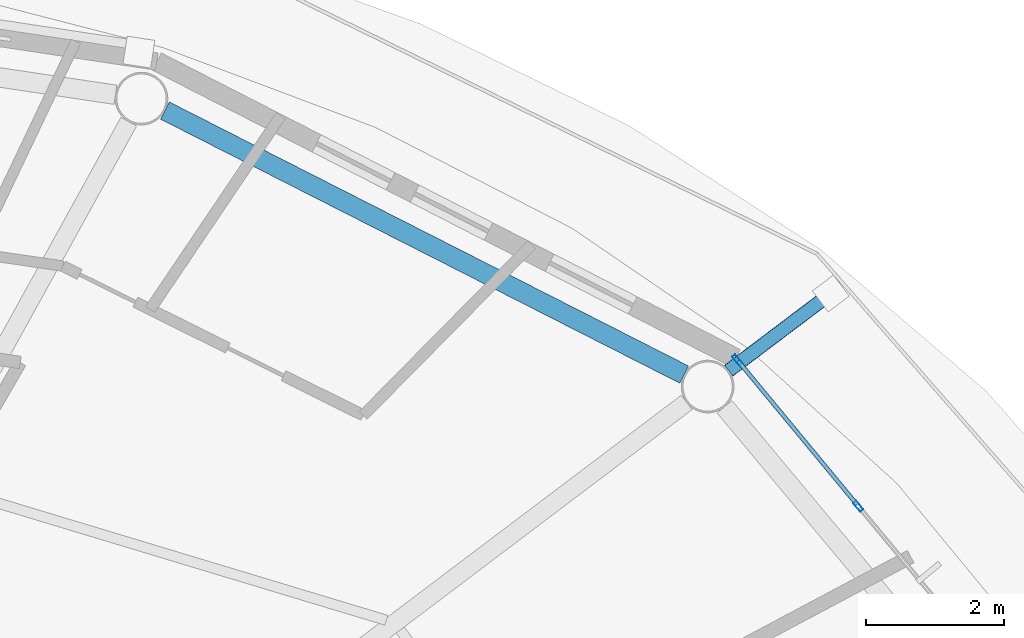
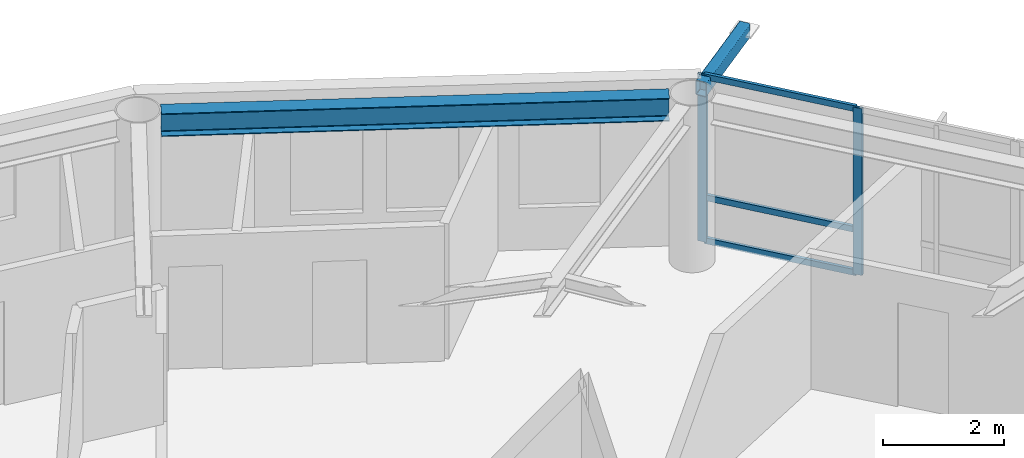
# One storey, part 11 of 22: 6 members, 1 beam, 1 element without a shape of its own.
"""IFC4 building model written with IfcOpenShell, lengths in metres."""

from ifc_helpers import new_model, si_unit, direction, frame, origin, origin_2d, place, context, subcontext, project, spatial, hollow_rectangle, i_section, extrude, material, layer, layer_set, material_profile, profile_set, type_object, element, aggregate, save


model = new_model("IFC4")

# Units and contexts
model_context = context("Model", 3, precision=1e-05, world=origin(), true_north=direction((0.0, 1.0)))
body_context = subcontext(model_context, "Body", "Model", "MODEL_VIEW")
ifc_project = project(units=[si_unit("LENGTHUNIT", "METRE"), si_unit("AREAUNIT", "SQUARE_METRE"), si_unit("VOLUMEUNIT", "CUBIC_METRE"), si_unit("PLANEANGLEUNIT", "RADIAN"), si_unit("MASSUNIT", "GRAM", prefix="KILO")], contexts=[model_context])

# Site, building, storey
site_placement = place(None, origin())
site = spatial("IfcSite", under=ifc_project, at=site_placement, CompositionType="ELEMENT")
building_placement = place(site_placement, origin())
building = spatial("IfcBuilding", under=site, at=building_placement, Name="Sarneth Arch Tower", CompositionType="ELEMENT")
storey_placement = place(building_placement, frame((0.0, 0.0, 287.39990234375)))
storey = spatial("IfcBuildingStorey", under=building, at=storey_placement, Name="L74", CompositionType="ELEMENT", Elevation=287.39990234375)

# Beam
ifc_material_1 = material(Name="Steel S355", Category="steel")
ifc_material_profile_1 = material_profile(ifc_material_1, i_section(OverallWidth=0.280029296875, OverallDepth=0.462890625, WebThickness=0.0107421875, FlangeThickness=0.017333984375, FilletRadius=0.01806640625, at=origin_2d()), Name="W460x113")
ifc_profile_set_1 = profile_set([ifc_material_profile_1], Name="Steel S355")
beam_type = type_object("IfcBeamType", Name="BM-RAD-460A", PredefinedType="BEAM", material=ifc_profile_set_1)
beam_placement = place(storey_placement, frame((65.635498046875, 55.749267578125, 3.138671875), z_axis=(-0.891373613492, 0.453269325204, 0.0), x_axis=(-0.453269325204, -0.891373613492, 0.0)))
element("IfcBeam", 1, at=beam_placement, inside=storey, type_object=beam_type, Name="L74 Perimeter spandrel beam 03", PredefinedType="BEAM", context=body_context, shape_type="SweptSolid", body=[
    extrude(i_section(OverallWidth=0.280029296875, OverallDepth=0.462890625, WebThickness=0.0107421875, FlangeThickness=0.017333984375, FilletRadius=0.01806640625, at=origin_2d()), origin(), (0.0, 0.0, 1.0), 8.419677734375),
])

# Curtain wall, members
ifc_material_2 = material(Name="Anodised aluminium Type AA25 and solar-control low-e laminated IGU", Category="aluminium")
ifc_layer = layer(ifc_material_2, 0.179931640625)
ifc_layer_set = layer_set([ifc_layer], Name="Anodised aluminium Type AA25 and solar-control low-e laminated IGU")
curtain_wall_type = type_object("IfcCurtainWallType", Name="CW-RES-HIGH", PredefinedType="NOTDEFINED", material=ifc_layer_set)
curtain_wall_placement = place(storey_placement, origin())
curtain_wall = element("IfcCurtainWall", 2, at=curtain_wall_placement, inside=storey, type_object=curtain_wall_type, Name="L74 Unitised curtain wall facet 02", PredefinedType="NOTDEFINED")
ifc_material_3 = material(Name="Anodised Aluminium 6063-T6", Category="aluminium")
ifc_material_profile_2 = material_profile(ifc_material_3, hollow_rectangle(XDim=0.06005859375, YDim=0.159912109375, WallThickness=0.00390625, at=origin_2d()), Name="AL-MULL-160x60x4")
ifc_profile_set_2 = profile_set([ifc_material_profile_2], Name="Anodised Aluminium 6063-T6")
member_type_1 = type_object("IfcMemberType", Name="CW-MULLION", PredefinedType="MULLION", material=ifc_profile_set_2)
member_1_placement = place(storey_placement, frame((68.15283203125, 53.84765625, 0.0), z_axis=(0.0, 0.0, 1.0), x_axis=(-0.770359245933, -0.637610094184, 0.0)))
member_1 = element("IfcMember", 3, at=member_1_placement, type_object=member_type_1, Name="CW-SYS-6 mullion 3", PredefinedType="MULLION", context=body_context, shape_type="SweptSolid", body=[
    extrude(hollow_rectangle(XDim=0.06005859375, YDim=0.159912109375, WallThickness=0.00390625, at=origin_2d()), origin(), (0.0, 0.0, 1.0), 3.3701171875),
])
member_2_placement = place(storey_placement, frame((66.401611328125, 55.96337890625, 0.0), z_axis=(0.0, 0.0, 1.0), x_axis=(-0.770359245933, -0.637610094184, 0.0)))
member_2 = element("IfcMember", 4, at=member_2_placement, type_object=member_type_1, Name="CW-SYS-6 mullion 4", PredefinedType="MULLION", context=body_context, shape_type="SweptSolid", body=[
    extrude(hollow_rectangle(XDim=0.06005859375, YDim=0.159912109375, WallThickness=0.00390625, at=origin_2d()), origin(), (0.0, 0.0, 1.0), 3.3701171875),
])
ifc_material_4 = material(Name="Anodised Aluminium 6063-T6", Category="aluminium")
ifc_material_profile_3 = material_profile(ifc_material_4, hollow_rectangle(XDim=0.06005859375, YDim=0.1201171875, WallThickness=0.00390625, at=origin_2d()), Name="AL-TRAN-120x60x4")
ifc_profile_set_3 = profile_set([ifc_material_profile_3], Name="Anodised Aluminium 6063-T6")
member_type_2 = type_object("IfcMemberType", Name="CW-TRANSOM", PredefinedType="USERDEFINED", material=ifc_profile_set_3)
member_3_placement = place(storey_placement, frame((68.1337890625, 53.87060546875, 0.030029296875), z_axis=(-0.637606765719, 0.770362000821, 0.0), x_axis=(-0.770362000821, -0.637606765719, 0.0)))
member_3 = element("IfcMember", 5, at=member_3_placement, type_object=member_type_2, Name="CW-SYS-6 transom 3.1", ObjectType="TRANSOM", PredefinedType="USERDEFINED", context=body_context, shape_type="SweptSolid", body=[
    extrude(hollow_rectangle(XDim=0.06005859375, YDim=0.1201171875, WallThickness=0.00390625, at=origin_2d()), origin(), (0.0, 0.0, 1.0), 2.686767578125),
])
member_4_placement = place(storey_placement, frame((68.1337890625, 53.87060546875, 0.900146484375), z_axis=(-0.637606765719, 0.770362000821, 0.0), x_axis=(-0.770362000821, -0.637606765719, 0.0)))
member_4 = element("IfcMember", 6, at=member_4_placement, type_object=member_type_2, Name="CW-SYS-6 transom 3.2", ObjectType="TRANSOM", PredefinedType="USERDEFINED", context=body_context, shape_type="SweptSolid", body=[
    extrude(hollow_rectangle(XDim=0.06005859375, YDim=0.1201171875, WallThickness=0.00390625, at=origin_2d()), origin(), (0.0, 0.0, 1.0), 2.686767578125),
])
member_5_placement = place(storey_placement, frame((68.1337890625, 53.87060546875, 3.340087890625), z_axis=(-0.637606765719, 0.770362000821, 0.0), x_axis=(-0.770362000821, -0.637606765719, 0.0)))
member_5 = element("IfcMember", 7, at=member_5_placement, type_object=member_type_2, Name="CW-SYS-6 transom 3.3", ObjectType="TRANSOM", PredefinedType="USERDEFINED", context=body_context, shape_type="SweptSolid", body=[
    extrude(hollow_rectangle(XDim=0.06005859375, YDim=0.1201171875, WallThickness=0.00390625, at=origin_2d()), origin(), (0.0, 0.0, 1.0), 2.686767578125),
])
aggregate(curtain_wall, [member_1, member_2, member_3, member_4, member_5])

# Member
ifc_material_5 = material(Name="Steel S355", Category="steel")
ifc_material_profile_4 = material_profile(ifc_material_5, hollow_rectangle(XDim=0.199951171875, YDim=0.300048828125, WallThickness=0.012451171875, InnerFilletRadius=0.018798828125, OuterFilletRadius=0.03125, at=origin_2d()), Name="RHS300x200x12.5")
ifc_profile_set_4 = profile_set([ifc_material_profile_4], Name="Steel S355")
member_type_3 = type_object("IfcMemberType", Name="MEM-CANT-STRUT", PredefinedType="STRUT", material=ifc_profile_set_4)
member_6_placement = place(storey_placement, frame((66.279296875, 55.80615234375, 3.210205078125), z_axis=(0.797936439912, 0.602741601237, 0.0), x_axis=(-0.602741601237, 0.797936439912, 0.0)))
element("IfcMember", 8, at=member_6_placement, inside=storey, type_object=member_type_3, Name="L74 Balcony cantilever bracket 03", PredefinedType="STRUT", context=body_context, shape_type="SweptSolid", body=[
    extrude(hollow_rectangle(XDim=0.199951171875, YDim=0.300048828125, WallThickness=0.012451171875, InnerFilletRadius=0.018798828125, OuterFilletRadius=0.03125, at=origin_2d()), origin(), (0.0, 0.0, 1.0), 1.849853515625),
])

save(model, "model.ifc")
